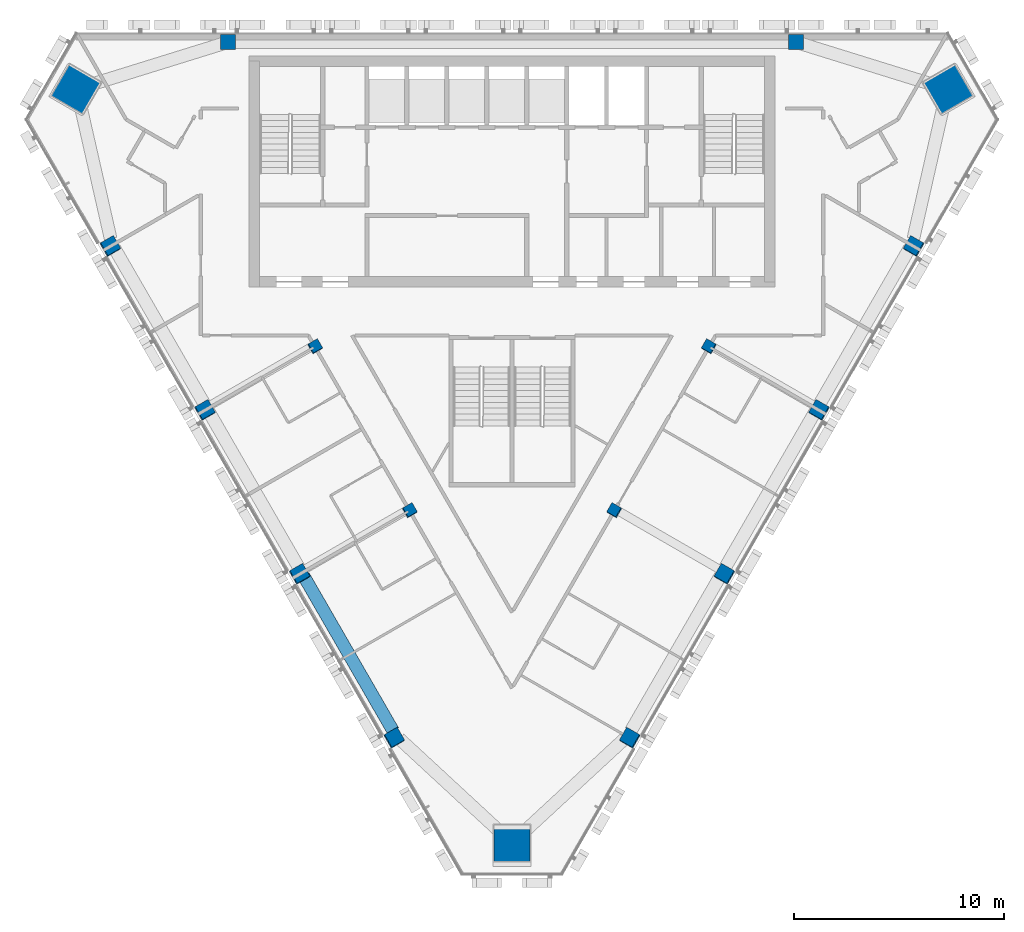
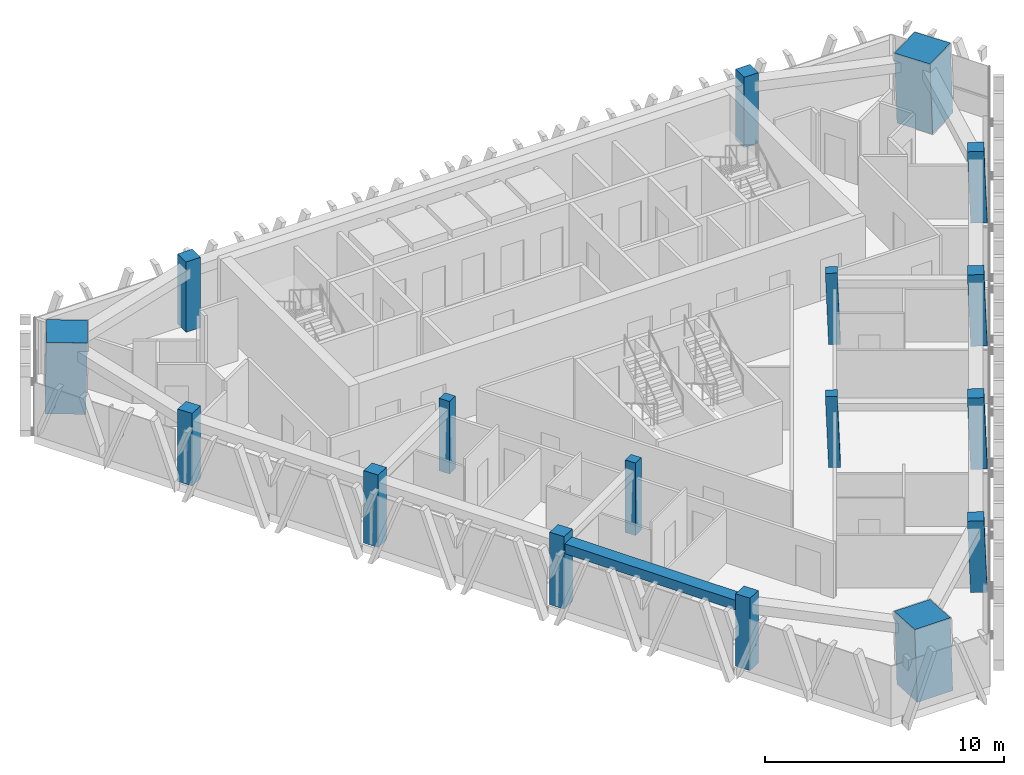
# One storey, part 1 of 14: 17 columns, 1 beam.
"""IFC4 building model written with IfcOpenShell, lengths in metres."""

from ifc_helpers import new_model, si_unit, direction, frame, origin, origin_2d, place, context, subcontext, project, spatial, rectangle, extrude, material, material_profile, profile_set, type_object, element, save


model = new_model("IFC4")

# Units and contexts
model_context = context("Model", 3, precision=1e-05, world=origin(), true_north=direction((0.0, 1.0)))
body_context = subcontext(model_context, "Body", "Model", "MODEL_VIEW")
ifc_project = project(units=[si_unit("LENGTHUNIT", "METRE"), si_unit("AREAUNIT", "SQUARE_METRE"), si_unit("VOLUMEUNIT", "CUBIC_METRE"), si_unit("PLANEANGLEUNIT", "RADIAN"), si_unit("MASSUNIT", "GRAM", prefix="KILO")], contexts=[model_context])

# Site, building, storey
site_placement = place(None, origin())
site = spatial("IfcSite", under=ifc_project, at=site_placement, CompositionType="ELEMENT")
building_placement = place(site_placement, origin())
building = spatial("IfcBuilding", under=site, at=building_placement, Name="Altiplano Prism Tower", CompositionType="ELEMENT")
storey_placement = place(building_placement, frame((0.0, 0.0, 271.60009765625)))
storey = spatial("IfcBuildingStorey", under=building, at=storey_placement, Name="L70", CompositionType="ELEMENT", Elevation=271.60009765625)

# Columns
ifc_material_1 = material(Name="Concrete C60/75", Category="concrete")
ifc_material_profile_1 = material_profile(ifc_material_1, rectangle(XDim=0.5, YDim=0.5, at=origin_2d()), Name="Inner column 500")
ifc_profile_set_1 = profile_set([ifc_material_profile_1], Name="Concrete C60/75")
column_type_1 = type_object("IfcColumnType", Name="Inner column 500", PredefinedType="COLUMN", material=ifc_profile_set_1)
for number, where, z_axis, x_axis, name in (
    (1, (75.627197265625, 90.06005859375, -0.01513671875), (0.02215519141, 0.038415882353, 0.999016199807), (-0.865364630406, -0.499668977735, 0.038405326858), "Inner column I12 L70"),
    (2, (80.127197265625, 82.265625, -0.01513671875), (0.022155133694, 0.038483534979, 0.999013597298), (-0.864982365973, -0.50032653087, 0.038456066681), "Inner column I13 L70"),
    (3, (89.872802734375, 82.265625, -0.01513671875), (-0.022155133694, 0.038483534979, 0.999013597298), (-0.501312932815, -0.864981144328, 0.022202777955), "Inner column I22 L70"),
    (4, (94.372802734375, 90.06005859375, -0.01513671875), (-0.02215519141, 0.038415882353, 0.999016199807), (-0.500652777817, -0.865364161883, 0.022173483991), "Inner column I23 L70"),
):
    element("IfcColumn", number, at=place(storey_placement, frame(where, z_axis=z_axis, x_axis=x_axis)), inside=storey, type_object=column_type_1, Name=name, PredefinedType="COLUMN", context=body_context, shape_type="SweptSolid", body=[
        extrude(rectangle(XDim=0.5, YDim=0.5, at=origin_2d()), origin(), (0.0, 0.0, 1.0), 3.603515625),
    ])
ifc_material_2 = material(Name="Concrete C70/85", Category="concrete")
ifc_material_profile_2 = material_profile(ifc_material_2, rectangle(XDim=1.719970703125, YDim=1.719970703125, at=origin_2d()), Name="Mega column infill 1800")
ifc_profile_set_2 = profile_set([ifc_material_profile_2], Name="Concrete C70/85")
column_type_2 = type_object("IfcColumnType", Name="Mega column infill 1800", PredefinedType="COLUMN", material=ifc_profile_set_2)
column_1_placement = place(storey_placement, frame((64.2001953125, 102.284423828125, 0.0), z_axis=(0.028403739082, 0.009219352065, 0.999554016126), x_axis=(-0.865117078347, 0.501172625173, 0.019960975165)))
element("IfcColumn", 5, at=column_1_placement, inside=storey, type_object=column_type_2, Name="Mega column M0 L70", PredefinedType="COLUMN", context=body_context, shape_type="SweptSolid", body=[
    extrude(rectangle(XDim=1.719970703125, YDim=1.719970703125, at=origin_2d()), origin(), (0.0, 0.0, 1.0), 3.6015625),
])
column_2_placement = place(storey_placement, frame((85.0, 66.258056640625, 0.0), z_axis=(0.0, 0.058360852261, 0.998295552892), x_axis=(-1.0, 0.0, 0.0)))
element("IfcColumn", 6, at=column_2_placement, inside=storey, type_object=column_type_2, Name="Mega column M1 L70", PredefinedType="COLUMN", context=body_context, shape_type="SweptSolid", body=[
    extrude(rectangle(XDim=1.719970703125, YDim=1.719970703125, at=origin_2d()), origin(), (0.0, 0.0, 1.0), 3.60595703125),
])
column_3_placement = place(storey_placement, frame((105.7998046875, 102.284423828125, 0.0), z_axis=(-0.028403739082, 0.009219352065, 0.999554016126), x_axis=(0.500765083006, -0.865298216412, 0.022210995403)))
element("IfcColumn", 7, at=column_3_placement, inside=storey, type_object=column_type_2, Name="Mega column M2 L70", PredefinedType="COLUMN", context=body_context, shape_type="SweptSolid", body=[
    extrude(rectangle(XDim=1.719970703125, YDim=1.719970703125, at=origin_2d()), origin(), (0.0, 0.0, 1.0), 3.6015625),
])
ifc_material_profile_3 = material_profile(ifc_material_1, rectangle(XDim=0.699951171875, YDim=0.699951171875, at=origin_2d()), Name="Perimeter column 700")
ifc_profile_set_3 = profile_set([ifc_material_profile_3], Name="Concrete C60/75")
column_type_3 = type_object("IfcColumnType", Name="Perimeter column 700", PredefinedType="COLUMN", material=ifc_profile_set_3)
for number, where, z_axis, x_axis, name in (
    (8, (98.5, 104.550048828125, 0.0), (0.0, 0.0, 1.0), (1.0, 0.0, 0.0), "Perimeter column P01 L70"),
    (9, (71.5, 104.550048828125, 0.0), (0.0, 0.0, 1.0), (1.0, 0.0, 0.0), "Perimeter column P04 L70"),
):
    element("IfcColumn", number, at=place(storey_placement, frame(where, z_axis=z_axis, x_axis=x_axis)), inside=storey, type_object=column_type_3, Name=name, PredefinedType="COLUMN", context=body_context, shape_type="SweptSolid", body=[
        extrude(rectangle(XDim=0.699951171875, YDim=0.699951171875, at=origin_2d()), origin(), (0.0, 0.0, 1.0), 3.599853515625),
    ])
for number, where, z_axis, x_axis, name in (
    (10, (65.887451171875, 94.828857421875, -0.021240234375), (0.022222852987, 0.038483477124, 0.999012095419), (-0.865639360837, -0.499186706709, 0.038485436403), "Perimeter column P11 L70"),
    (11, (70.387451171875, 87.03466796875, -0.021240234375), (0.022222852987, 0.038483477124, 0.999012095419), (-0.86564204957, -0.499182053359, 0.038485316959), "Perimeter column P12 L70"),
    (12, (74.887451171875, 79.240478515625, -0.021240234375), (0.022222852987, 0.038483477124, 0.999012095419), (-0.86564203211, -0.499182083575, 0.038485317735), "Perimeter column P13 L70"),
    (13, (79.387451171875, 71.4462890625, -0.021240234375), (0.022222910879, 0.038415824599, 0.999014697916), (-0.866023998813, -0.498523032246, 0.038434617219), "Perimeter column P14 L70"),
    (14, (90.612548828125, 71.4462890625, -0.021240234375), (-0.022222910879, 0.038415824599, 0.999014697916), (-0.499508333977, -0.866024832635, 0.02219039312), "Perimeter column P21 L70"),
    (15, (95.112548828125, 79.240478515625, -0.021240234375), (-0.022222852987, 0.038483477124, 0.999012095419), (-0.500169988153, -0.86564211394, 0.022219665283), "Perimeter column P22 L70"),
    (16, (99.612548828125, 87.03466796875, -0.021240234375), (-0.022222852987, 0.038483477124, 0.999012095419), (-0.500169957936, -0.865642131364, 0.022219666627), "Perimeter column P23 L70"),
    (17, (104.112548828125, 94.828857421875, -0.021240234375), (-0.022222852987, 0.038483477124, 0.999012095419), (-0.500174611287, -0.865639447942, 0.022219459744), "Perimeter column P24 L70"),
):
    element("IfcColumn", number, at=place(storey_placement, frame(where, z_axis=z_axis, x_axis=x_axis)), inside=storey, type_object=column_type_3, Name=name, PredefinedType="COLUMN", context=body_context, shape_type="SweptSolid", body=[
        extrude(rectangle(XDim=0.699951171875, YDim=0.699951171875, at=origin_2d()), origin(), (0.0, 0.0, 1.0), 3.603515625),
    ])

# Beam
ifc_material_profile_4 = material_profile(ifc_material_1, rectangle(XDim=0.60009765625, YDim=0.5, at=origin_2d()), Name="Edge beam 600x500")
ifc_profile_set_4 = profile_set([ifc_material_profile_4], Name="Concrete C60/75")
beam_type = type_object("IfcBeamType", Name="Edge beam 600x500", PredefinedType="SPANDREL", material=ifc_profile_set_4)
beam_placement = place(storey_placement, frame((75.0830078125, 79.1806640625, 2.949951171875), z_axis=(0.500007039007, -0.866021339774, 0.0), x_axis=(0.866021339774, 0.500007039007, 0.0)))
element("IfcBeam", 18, at=beam_placement, inside=storey, type_object=beam_type, Name="Edge beam P13-P14 L71", PredefinedType="SPANDREL", context=body_context, shape_type="SweptSolid", body=[
    extrude(rectangle(XDim=0.60009765625, YDim=0.5, at=origin_2d()), origin(), (0.0, 0.0, 1.0), 8.5400390625),
])

save(model, "model.ifc")
